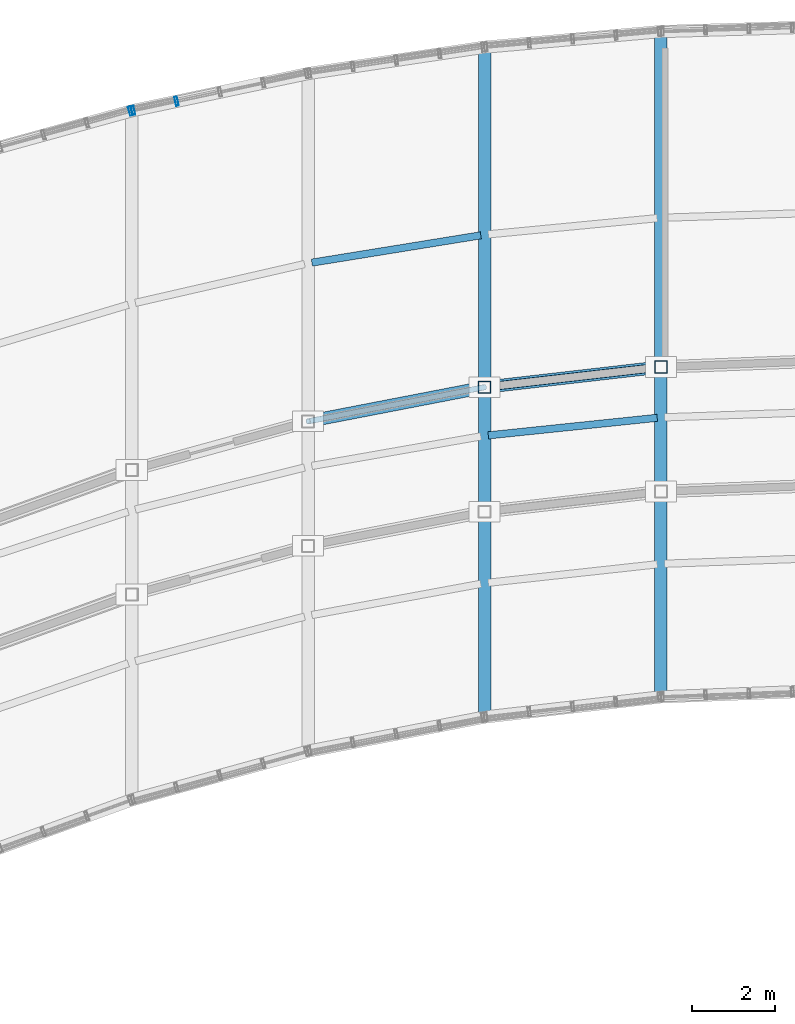
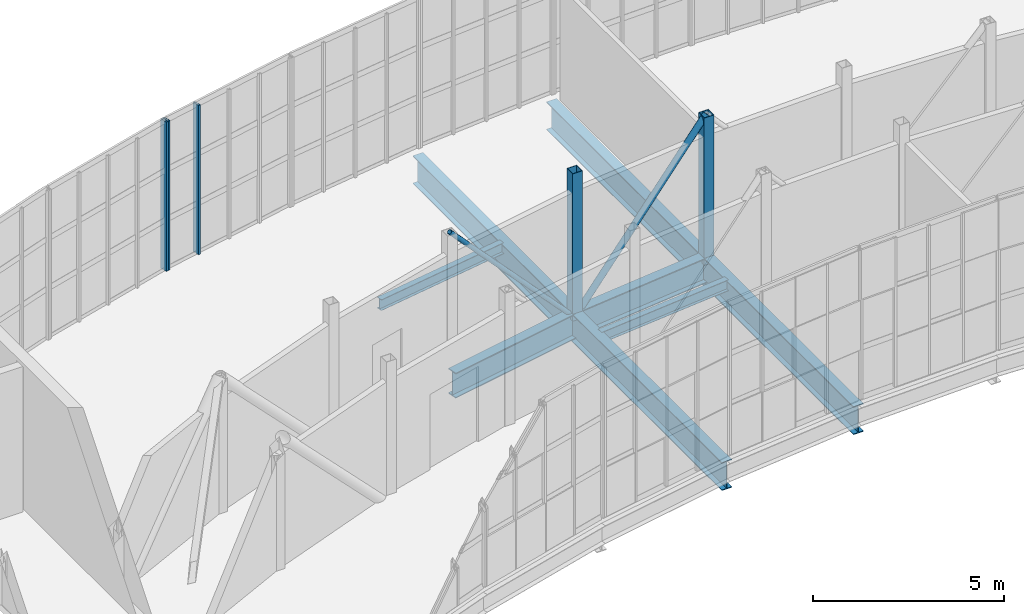
# One storey, part 26 of 46: 7 members, 6 beams, 2 elements without a shape of their own.
"""IFC4 building model written with IfcOpenShell, lengths in metres."""

import ifcopenshell
import ifcopenshell.guid

model = None  # the IFC model being written
_history = None  # IfcOwnerHistory: only IFC2X3 demands one
_inside = {}  # id of a spatial element -> (the spatial element, [elements in it])
_under = {}  # id of a project, library or spatial element -> (it, [spatial elements below it])
_declared = {}  # id of a project -> (the project, [libraries it declares])
_typed = {}  # id of a type object -> (the type object, [elements of that type])
_made_of = {}  # id of a material, layer set ... -> (it, [elements and type objects made of it])


def new_model(schema):
    """Start an empty IFC model of exactly this schema.

    Asked for "IFC4X3", IfcOpenShell would pick the latest addendum, in which some entities
    have other attributes; the version numbers below select the first issue.
    IFC2X3 requires an IfcOwnerHistory on every rooted entity: one is made here for all.
    """
    global model, _history
    if schema == "IFC4X3":
        model = ifcopenshell.file(schema_version=(4, 3, 0, 0))
    else:
        model = ifcopenshell.file(schema=schema)
    _inside.clear()
    _under.clear()
    _declared.clear()
    _typed.clear()
    _made_of.clear()
    _history = None
    if model.schema == "IFC2X3":
        org = make("IfcOrganization", Name="unknown")
        user = make(
            "IfcPersonAndOrganization",
            ThePerson=make("IfcPerson", FamilyName="unknown"),
            TheOrganization=org,
        )
        app = make(
            "IfcApplication",
            ApplicationDeveloper=org,
            Version="unknown",
            ApplicationFullName="unknown",
            ApplicationIdentifier="unknown",
        )
        _history = make(
            "IfcOwnerHistory",
            OwningUser=user,
            OwningApplication=app,
            ChangeAction="ADDED",
            CreationDate=0,
        )
    return model


def make(cls, **values):
    """One entity of the class cls with the attributes given. An attribute that is None is left unset."""
    return model.create_entity(
        cls, **{name: value for name, value in values.items() if value is not None}
    )


def rooted(cls, **values):
    """An entity with a GlobalId (a new one), such as an element, a storey or a relation."""
    return make(cls, GlobalId=ifcopenshell.guid.new(), OwnerHistory=_history, **values)


def si_unit(unit_type, name, prefix=None):
    """IfcSIUnit, for example si_unit("LENGTHUNIT", "METRE", prefix="MILLI")."""
    return make("IfcSIUnit", UnitType=unit_type, Prefix=prefix, Name=name)


def assignment(units):
    """IfcUnitAssignment: the units of a project."""
    return None if units is None else make("IfcUnitAssignment", Units=units)


def point(xyz):
    """IfcCartesianPoint."""
    return None if xyz is None else make("IfcCartesianPoint", Coordinates=xyz)


def direction(xyz):
    """IfcDirection."""
    return None if xyz is None else make("IfcDirection", DirectionRatios=xyz)


def frame(location, z_axis=None, x_axis=None):
    """IfcAxis2Placement3D, a coordinate frame: its origin and axes. An axis left out is left unset."""
    return make(
        "IfcAxis2Placement3D",
        Location=point(location),
        Axis=direction(z_axis),
        RefDirection=direction(x_axis),
    )


def frame_2d(location, x_axis=None):
    """IfcAxis2Placement2D, a coordinate frame in the plane: its origin and x axis."""
    return make(
        "IfcAxis2Placement2D", Location=point(location), RefDirection=direction(x_axis)
    )


def origin():
    """The frame at (0, 0, 0) with its axes left unset."""
    return frame((0.0, 0.0, 0.0))


def origin_2d():
    """The frame at (0, 0) in the plane with its x axis left unset."""
    return frame_2d((0.0, 0.0))


def place(relative_to, where):
    """IfcLocalPlacement: puts the frame where relative to a parent placement (None: the world)."""
    return make(
        "IfcLocalPlacement", PlacementRelTo=relative_to, RelativePlacement=where
    )


def context(
    kind, dimensions, precision=None, world=None, true_north=None, identifier=None
):
    """IfcGeometricRepresentationContext, for example the 3D "Model" context."""
    return make(
        "IfcGeometricRepresentationContext",
        ContextIdentifier=identifier,
        ContextType=kind,
        CoordinateSpaceDimension=dimensions,
        Precision=precision,
        WorldCoordinateSystem=world,
        TrueNorth=true_north,
    )


def subcontext(parent, identifier, kind, view, scale=None):
    """IfcGeometricRepresentationSubContext, for example "Body" below "Model"."""
    return make(
        "IfcGeometricRepresentationSubContext",
        ContextIdentifier=identifier,
        ContextType=kind,
        ParentContext=parent,
        TargetScale=scale,
        TargetView=view,
    )


def project(units=None, contexts=None):
    """IfcProject with its units and contexts."""
    return rooted(
        "IfcProject",
        Name="project",
        RepresentationContexts=contexts,
        UnitsInContext=assignment(units),
    )


def spatial(cls, under=None, at=None, **own):
    """A site, building, storey or space (cls), placed at a placement, below another one or the project."""
    s = rooted(cls, ObjectPlacement=at, **own)
    if under is not None:
        _under.setdefault(under.id(), (under, []))[1].append(s)
    return s


def profile(cls, at=None, kind="AREA", **sizes):
    """A parametric profile (cls). Its sizes go by their IFC names, for example OverallWidth=200.0."""
    return make(cls, ProfileType=kind, Position=at, **sizes)


def hollow_rectangle(**sizes):
    """IfcRectangleHollowProfileDef."""
    return profile("IfcRectangleHollowProfileDef", **sizes)


def hollow_circle(**sizes):
    """IfcCircleHollowProfileDef."""
    return profile("IfcCircleHollowProfileDef", **sizes)


def i_section(**sizes):
    """IfcIShapeProfileDef."""
    return profile("IfcIShapeProfileDef", **sizes)


def extrude(swept, where, along, depth):
    """IfcExtrudedAreaSolid: the profile swept, set in the frame where, extruded along a direction by depth."""
    return make(
        "IfcExtrudedAreaSolid",
        SweptArea=swept,
        Position=where,
        ExtrudedDirection=direction(along),
        Depth=depth,
    )


def shape(context_of_items, identifier, shape_type, items):
    """IfcShapeRepresentation: the items that make up one representation, for example the "Body"."""
    return make(
        "IfcShapeRepresentation",
        ContextOfItems=context_of_items,
        RepresentationIdentifier=identifier,
        RepresentationType=shape_type,
        Items=items,
    )


def material(Name=None, Category=None):
    """IfcMaterial."""
    return make("IfcMaterial", Name=Name, Category=Category)


def material_profile(
    of_material, cross_section, Name=None, Category=None, Priority=None
):
    """IfcMaterialProfile: a cross section and its material."""
    return make(
        "IfcMaterialProfile",
        Name=Name,
        Material=of_material,
        Profile=cross_section,
        Priority=Priority,
        Category=Category,
    )


def profile_set(profiles, Name=None, composite=None):
    """IfcMaterialProfileSet."""
    return make(
        "IfcMaterialProfileSet",
        Name=Name,
        MaterialProfiles=profiles,
        CompositeProfile=composite,
    )


def made_of(thing, what):
    """Note that an element or type object is made of a material, layer set ...; save() writes the relation."""
    if what is not None:
        _made_of.setdefault(what.id(), (what, []))[1].append(thing)
    return thing


def type_object(cls, material=None, **own):
    """A type object (cls), such as IfcWallType, which elements share."""
    return made_of(rooted(cls, **own), material)


def element(
    cls,
    number,
    at=None,
    inside=None,
    cuts=None,
    type_object=None,
    material=None,
    context=None,
    identifier="Body",
    shape_type=None,
    held_by="IfcProductDefinitionShape",
    body=None,
    shapes=None,
    **own,
):
    """One element of the class cls, such as IfcWall. Its Tag is "e" and its number.

    at: its placement. inside: the storey or other place that contains it. cuts: it is an
    opening in that element (IfcRelVoidsElement). A single representation is given by context,
    identifier, shape_type and body (its items); several are given by shapes. held_by: the class
    of the entity that holds the representations. save() writes the other relations.
    """
    e = rooted(cls, Tag="e%d" % number, ObjectPlacement=at, **own)
    if body is not None:
        shapes = [shape(context, identifier, shape_type, body)]
    if shapes is not None:
        e.Representation = make(held_by, Representations=shapes)
    if inside is not None:
        _inside.setdefault(inside.id(), (inside, []))[1].append(e)
    if cuts is not None:
        rooted(
            "IfcRelVoidsElement", RelatingBuildingElement=cuts, RelatedOpeningElement=e
        )
    if type_object is not None:
        _typed.setdefault(type_object.id(), (type_object, []))[1].append(e)
    return made_of(e, material)


def aggregate(whole, parts):
    """IfcRelAggregates: a whole, such as a stair, and the parts it consists of."""
    return rooted("IfcRelAggregates", RelatingObject=whole, RelatedObjects=parts)


def save(model, path):
    """Write the relations noted so far, then the file.

    IfcRelAggregates (storeys below a building ...), IfcRelContainedInSpatialStructure (elements
    in a storey), IfcRelDefinesByType, IfcRelAssociatesMaterial and IfcRelDeclares: one each for
    every whole, place, type object, material and project.
    """
    for whole, parts in _under.values():
        aggregate(whole, parts)
    for where, things in _inside.values():
        rooted(
            "IfcRelContainedInSpatialStructure",
            RelatedElements=things,
            RelatingStructure=where,
        )
    for kind, things in _typed.values():
        rooted("IfcRelDefinesByType", RelatedObjects=things, RelatingType=kind)
    for what, things in _made_of.values():
        rooted("IfcRelAssociatesMaterial", RelatedObjects=things, RelatingMaterial=what)
    for by, libraries in _declared.values():
        rooted("IfcRelDeclares", RelatingContext=by, RelatedDefinitions=libraries)
    model.write(path)


model = new_model("IFC4")

# Units and contexts
model_context = context("Model", 3, precision=1e-05, world=origin(), true_north=direction((0.0, 1.0)))
body_context = subcontext(model_context, "Body", "Model", "MODEL_VIEW")
ifc_project = project(units=[si_unit("LENGTHUNIT", "METRE"), si_unit("AREAUNIT", "SQUARE_METRE"), si_unit("VOLUMEUNIT", "CUBIC_METRE"), si_unit("PLANEANGLEUNIT", "RADIAN"), si_unit("MASSUNIT", "GRAM", prefix="KILO")], contexts=[model_context])

# Site, building, storey
site_placement = place(None, origin())
site = spatial("IfcSite", under=ifc_project, at=site_placement, CompositionType="ELEMENT")
building_placement = place(site_placement, origin())
building = spatial("IfcBuilding", under=site, at=building_placement, Name="Solvikara Media Centre", CompositionType="ELEMENT")
storey_placement = place(building_placement, frame((0.0, 0.0, 24.60009765625)))
storey = spatial("IfcBuildingStorey", under=building, at=storey_placement, Name="L05", CompositionType="ELEMENT", Elevation=24.60009765625)

# Beams
ifc_material_1 = material(Name="Steel S355JR", Category="steel")
ifc_material_profile_1 = material_profile(ifc_material_1, i_section(OverallWidth=0.300048828125, OverallDepth=0.89990234375, WebThickness=0.01611328125, FlangeThickness=0.028076171875, at=origin_2d()), Name="WF 900x300x16x28")
ifc_profile_set_1 = profile_set([ifc_material_profile_1], Name="Steel S355JR")
beam_type_1 = type_object("IfcBeamType", Name="BM-15", PredefinedType="BEAM", material=ifc_profile_set_1)
beam_1_placement = place(storey_placement, frame((93.5, 24.818115234375, -0.672119140625), z_axis=(0.0, 1.0, 0.0), x_axis=(-1.0, 0.0, 0.0)))
element("IfcBeam", 1, at=beam_1_placement, inside=storey, type_object=beam_type_1, Name="BG-L05-NS-04", PredefinedType="BEAM", context=body_context, shape_type="SweptSolid", body=[
    extrude(i_section(OverallWidth=0.300048828125, OverallDepth=0.89990234375, WebThickness=0.01611328125, FlangeThickness=0.028076171875, at=origin_2d()), origin(), (0.0, 0.0, 1.0), 16.14599609375),
])
beam_2_placement = place(storey_placement, frame((97.75, 25.304931640625, -0.672119140625), z_axis=(0.0, 1.0, 0.0), x_axis=(-1.0, 0.0, 0.0)))
element("IfcBeam", 2, at=beam_2_placement, inside=storey, type_object=beam_type_1, Name="BG-L05-NS-05", PredefinedType="BEAM", context=body_context, shape_type="SweptSolid", body=[
    extrude(i_section(OverallWidth=0.300048828125, OverallDepth=0.89990234375, WebThickness=0.01611328125, FlangeThickness=0.028076171875, at=origin_2d()), origin(), (0.0, 0.0, 1.0), 16.0361328125),
])
ifc_material_profile_2 = material_profile(ifc_material_1, i_section(OverallWidth=0.300048828125, OverallDepth=0.800048828125, WebThickness=0.013916015625, FlangeThickness=0.02587890625, at=origin_2d()), Name="WF 800x300x14x26")
ifc_profile_set_2 = profile_set([ifc_material_profile_2], Name="Steel S355JR")
beam_type_2 = type_object("IfcBeamType", Name="BM-16", PredefinedType="BEAM", material=ifc_profile_set_2)
beam_3_placement = place(storey_placement, frame((89.337890625, 31.962890625, -0.6220703125), z_axis=(0.981801087979, 0.189912147171, 0.0), x_axis=(-0.189912147171, 0.981801087979, 0.0)))
element("IfcBeam", 3, at=beam_3_placement, inside=storey, type_object=beam_type_2, Name="B-L05-SPNN-03", PredefinedType="BEAM", context=body_context, shape_type="SweptSolid", body=[
    extrude(i_section(OverallWidth=0.300048828125, OverallDepth=0.800048828125, WebThickness=0.013916015625, FlangeThickness=0.02587890625, at=origin_2d()), origin(), (0.0, 0.0, 1.0), 4.149658203125),
])
beam_4_placement = place(storey_placement, frame((93.589111328125, 32.778076171875, -0.6220703125), z_axis=(0.993485932274, 0.113954826025, 0.0), x_axis=(-0.113954826025, 0.993485932274, 0.0)))
element("IfcBeam", 4, at=beam_4_placement, inside=storey, type_object=beam_type_2, Name="B-L05-SPNN-04", PredefinedType="BEAM", context=body_context, shape_type="SweptSolid", body=[
    extrude(i_section(OverallWidth=0.300048828125, OverallDepth=0.800048828125, WebThickness=0.013916015625, FlangeThickness=0.02587890625, at=origin_2d()), origin(), (0.0, 0.0, 1.0), 4.098388671875),
])
ifc_material_profile_3 = material_profile(ifc_material_1, i_section(OverallWidth=0.175048828125, OverallDepth=0.35009765625, WebThickness=0.007080078125, FlangeThickness=0.010986328125, at=origin_2d()), Name="WF 350x175x7x11")
ifc_profile_set_3 = profile_set([ifc_material_profile_3], Name="Steel S355JR")
beam_type_3 = type_object("IfcBeamType", Name="BM-22", PredefinedType="JOIST", material=ifc_profile_set_3)
beam_5_placement = place(storey_placement, frame((89.339111328125, 35.77001953125, -0.397216796875), z_axis=(0.987157242896, 0.159751612818, 0.0), x_axis=(-0.159751612818, 0.987157242896, 0.0)))
element("IfcBeam", 5, at=beam_5_placement, inside=storey, type_object=beam_type_3, Name="BJ-L05-03-72", PredefinedType="JOIST", context=body_context, shape_type="SweptSolid", body=[
    extrude(i_section(OverallWidth=0.175048828125, OverallDepth=0.35009765625, WebThickness=0.007080078125, FlangeThickness=0.010986328125, at=origin_2d()), origin(), (0.0, 0.0, 1.0), 4.124755859375),
])
beam_6_placement = place(storey_placement, frame((93.590087890625, 31.60791015625, -0.397216796875), z_axis=(0.99463965164, 0.103401950587, 0.0), x_axis=(-0.103401950587, 0.99463965164, 0.0)))
element("IfcBeam", 6, at=beam_6_placement, inside=storey, type_object=beam_type_3, Name="BJ-L05-04-42", PredefinedType="JOIST", context=body_context, shape_type="SweptSolid", body=[
    extrude(i_section(OverallWidth=0.175048828125, OverallDepth=0.35009765625, WebThickness=0.007080078125, FlangeThickness=0.010986328125, at=origin_2d()), origin(), (0.0, 0.0, 1.0), 4.091796875),
])

# Members
ifc_material_profile_4 = material_profile(ifc_material_1, hollow_circle(Radius=0.096923828125, WallThickness=0.008056640625, at=origin_2d()), Name="CHS 193.7x8")
ifc_profile_set_4 = profile_set([ifc_material_profile_4], Name="Steel S355JR")
member_type_1 = type_object("IfcMemberType", Name="MB-06", PredefinedType="BRACE", material=ifc_profile_set_4)
member_1_placement = place(storey_placement, frame((93.5, 32.76806640625, -0.4501953125), z_axis=(0.668720864465, 0.076598656005, 0.739557334713), x_axis=(-0.113800903571, 0.993503575407, 0.0)))
element("IfcMember", 7, at=member_1_placement, inside=storey, type_object=member_type_1, Name="WTR-L05-N-DA04", PredefinedType="BRACE", context=body_context, shape_type="SweptSolid", body=[
    extrude(hollow_circle(Radius=0.096923828125, WallThickness=0.008056640625, at=origin_2d()), origin(), (0.0, 0.0, 1.0), 6.35546875),
])
ifc_material_profile_5 = material_profile(ifc_material_1, hollow_circle(Radius=0.06982421875, WallThickness=0.00634765625, at=origin_2d()), Name="CHS 139.7x6.3")
ifc_profile_set_5 = profile_set([ifc_material_profile_5], Name="Steel S355JR")
member_type_2 = type_object("IfcMemberType", Name="MB-08", PredefinedType="BRACE", material=ifc_profile_set_5)
member_2_placement = place(storey_placement, frame((89.25, 31.946044921875, 4.25), z_axis=(0.665118374844, 0.128645080888, -0.735573239459), x_axis=(-0.189897396029, 0.981803941213, 0.0)))
element("IfcMember", 8, at=member_2_placement, inside=storey, type_object=member_type_2, Name="WTR-L05-N-DB03", PredefinedType="BRACE", context=body_context, shape_type="SweptSolid", body=[
    extrude(hollow_circle(Radius=0.06982421875, WallThickness=0.00634765625, at=origin_2d()), origin(), (0.0, 0.0, 1.0), 6.389892578125),
])
ifc_material_profile_6 = material_profile(ifc_material_1, hollow_rectangle(XDim=0.300048828125, YDim=0.300048828125, WallThickness=0.012451171875, at=origin_2d()), Name="RHS 300x300x12.5")
ifc_profile_set_6 = profile_set([ifc_material_profile_6], Name="Steel S355JR")
member_type_3 = type_object("IfcMemberType", Name="MB-11", PredefinedType="CHORD", material=ifc_profile_set_6)
for number, where, z_axis, x_axis, name in (
    (9, (93.5, 32.76806640625, -0.4501953125), (0.0, 0.0, 1.0), (1.0, 0.0, 0.0), "WTR-L05-N-V04"),
    (10, (97.75, 33.2548828125, -0.4501953125), (0.0, 0.0, 1.0), (1.0, 0.0, 0.0), "WTR-L05-N-V05"),
):
    element("IfcMember", number, at=place(storey_placement, frame(where, z_axis=z_axis, x_axis=x_axis)), inside=storey, type_object=member_type_3, Name=name, PredefinedType="CHORD", context=body_context, shape_type="SweptSolid", body=[
        extrude(hollow_rectangle(XDim=0.300048828125, YDim=0.300048828125, WallThickness=0.012451171875, at=origin_2d()), origin(), (0.0, 0.0, 1.0), 4.7001953125),
    ])

# Curtain wall, member
ifc_material_2 = material(Name="Anodised aluminium EN AW-6063", Category="aluminium")
curtain_wall_type = type_object("IfcCurtainWallType", Name="CW-02", PredefinedType="NOTDEFINED", material=ifc_material_2)
curtain_wall_1_placement = place(storey_placement, origin())
curtain_wall_1 = element("IfcCurtainWall", 11, at=curtain_wall_1_placement, inside=storey, type_object=curtain_wall_type, Name="CW-L05-NARC-01", PredefinedType="NOTDEFINED")
ifc_material_profile_7 = material_profile(ifc_material_2, hollow_rectangle(XDim=0.06494140625, YDim=0.219970703125, WallThickness=0.00390625, at=origin_2d()), Name="ALU-M 65x220x4")
ifc_profile_set_7 = profile_set([ifc_material_profile_7], Name="Anodised aluminium EN AW-6063")
member_type_4 = type_object("IfcMemberType", Name="MF-01", PredefinedType="MULLION", material=ifc_profile_set_7)
member_3_placement = place(storey_placement, frame((84.966064453125, 39.422119140625, 0.02001953125), z_axis=(0.0, 0.0, 1.0), x_axis=(0.964030487854, 0.265791682504, 0.0)))
member_3 = element("IfcMember", 12, at=member_3_placement, type_object=member_type_4, Name="CW-L05-NARC-01-M04", PredefinedType="MULLION", context=body_context, shape_type="SweptSolid", body=[
    extrude(hollow_rectangle(XDim=0.06494140625, YDim=0.219970703125, WallThickness=0.00390625, at=origin_2d()), origin(), (0.0, 0.0, 1.0), 4.759765625),
])
aggregate(curtain_wall_1, [member_3])

# Curtain wall, members
curtain_wall_2_placement = place(storey_placement, origin())
curtain_wall_2 = element("IfcCurtainWall", 13, at=curtain_wall_2_placement, inside=storey, type_object=curtain_wall_type, Name="CW-L05-NARC-02", PredefinedType="NOTDEFINED")
member_4_placement = place(storey_placement, frame((85.033935546875, 39.43798828125, 0.02001953125), z_axis=(0.0, 0.0, 1.0), x_axis=(0.97837923005, 0.206818959981, 0.0)))
member_4 = element("IfcMember", 14, at=member_4_placement, type_object=member_type_4, Name="CW-L05-NARC-02-M00", PredefinedType="MULLION", context=body_context, shape_type="SweptSolid", body=[
    extrude(hollow_rectangle(XDim=0.06494140625, YDim=0.219970703125, WallThickness=0.00390625, at=origin_2d()), origin(), (0.0, 0.0, 1.0), 4.759765625),
])
member_5_placement = place(storey_placement, frame((86.080078125, 39.658935546875, 0.02001953125), z_axis=(0.0, 0.0, 1.0), x_axis=(0.97837923005, 0.206818959981, 0.0)))
member_5 = element("IfcMember", 15, at=member_5_placement, type_object=member_type_4, Name="CW-L05-NARC-02-M01", PredefinedType="MULLION", context=body_context, shape_type="SweptSolid", body=[
    extrude(hollow_rectangle(XDim=0.06494140625, YDim=0.219970703125, WallThickness=0.00390625, at=origin_2d()), origin(), (0.0, 0.0, 1.0), 4.759765625),
])
aggregate(curtain_wall_2, [member_4, member_5])

save(model, "model.ifc")
